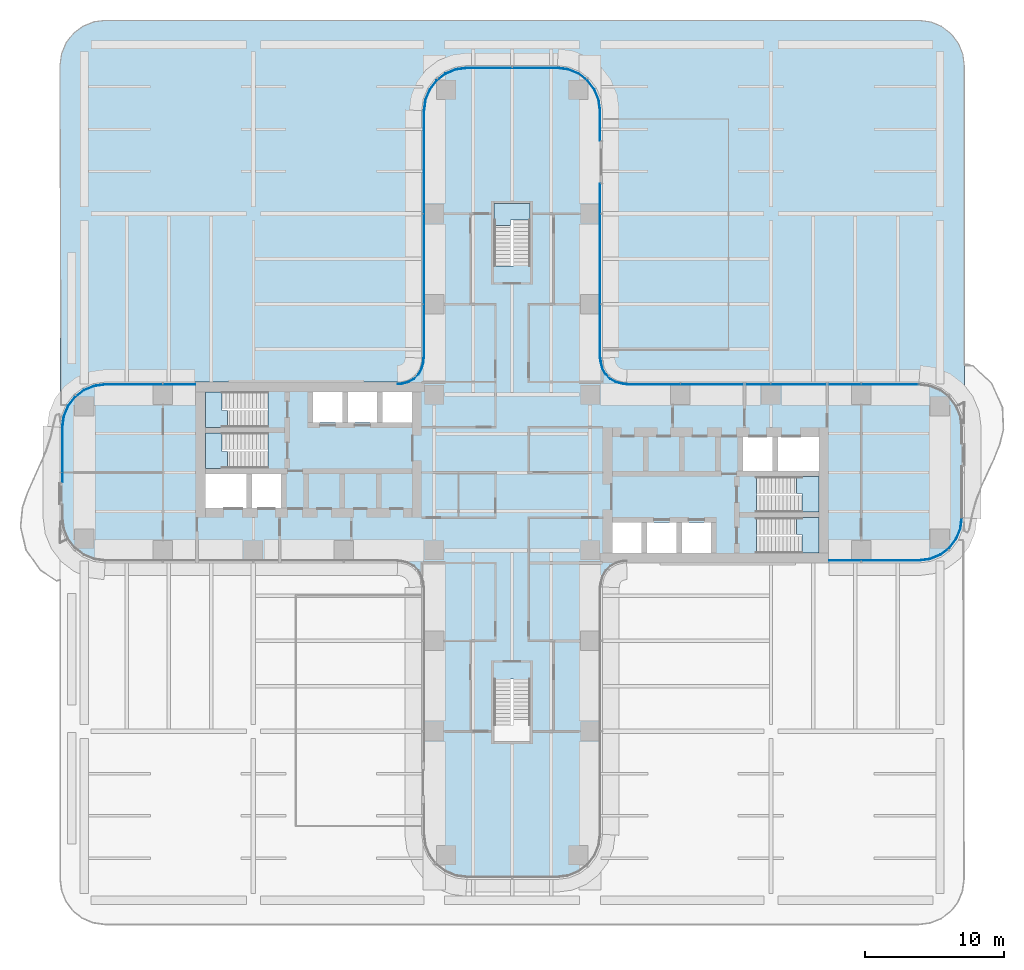
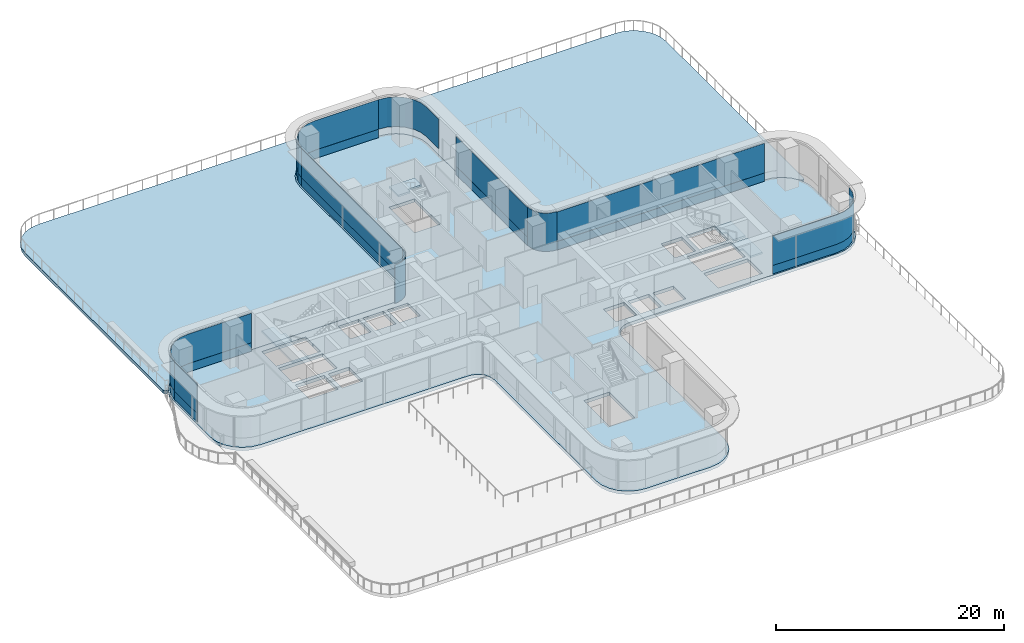
# One storey, part 19 of 29: 17 plates, 7 slabs, 15 elements without a shape of their own.
"""IFC4 building model written with IfcOpenShell, lengths in metres."""

from ifc_helpers import new_model, si_unit, direction, frame, origin, place, context, subcontext, project, spatial, polyline, outline, extrude, source, transform, mapped, material, layer, layer_set, type_object, element, aggregate, save


model = new_model("IFC4")

# Units and contexts
model_context = context("Model", 3, precision=1e-05, world=origin(), true_north=direction((0.0, 1.0)))
body_context = subcontext(model_context, "Body", "Model", "MODEL_VIEW")
ifc_project = project(units=[si_unit("LENGTHUNIT", "METRE"), si_unit("AREAUNIT", "SQUARE_METRE"), si_unit("VOLUMEUNIT", "CUBIC_METRE"), si_unit("PLANEANGLEUNIT", "RADIAN"), si_unit("MASSUNIT", "GRAM", prefix="KILO")], contexts=[model_context])

# Site, building, storey
site_placement = place(None, origin())
site = spatial("IfcSite", under=ifc_project, at=site_placement, CompositionType="ELEMENT")
building_placement = place(site_placement, origin())
building = spatial("IfcBuilding", under=site, at=building_placement, Name="Trellis Farm Tower", CompositionType="ELEMENT")
storey_placement = place(building_placement, frame((0.0, 0.0, 34.0)))
storey = spatial("IfcBuildingStorey", under=building, at=storey_placement, Name="L06", CompositionType="ELEMENT", Elevation=34.0)

# Curtain wall, plates
ifc_material_1 = material(Name="Aluminium and glass curtain wall", Category="aluminium")
ifc_layer_1 = layer(ifc_material_1, 0.18994140625)
ifc_layer_set_1 = layer_set([ifc_layer_1], Name="RIBBON CURTAIN WALL CW1")
curtain_wall_type_1 = type_object("IfcCurtainWallType", Name="RIBBON CURTAIN WALL CW1", PredefinedType="NOTDEFINED", material=ifc_layer_set_1)
placement_1 = place(storey_placement, origin())
curtain_wall_1 = element("IfcCurtainWall", 1, at=placement_1, inside=storey, type_object=curtain_wall_type_1, Name="CW1 015", PredefinedType="NOTDEFINED")
ifc_material_2 = material(Name="Clear insulated glass", Category="glass")
ifc_layer_2 = layer(ifc_material_2, 0.0400390625)
ifc_layer_set_2 = layer_set([ifc_layer_2], Name="CW1 GLASS PANEL 40")
plate_type_1 = type_object("IfcPlateType", Name="CW1 GLASS PANEL 40", PredefinedType="CURTAIN_PANEL", material=ifc_layer_set_2)
placement_2 = place(storey_placement, frame((0.0, 0.0, 0.89990234375)))
plate_1 = element("IfcPlate", 2, at=placement_2, type_object=plate_type_1, Name="PL1 015", PredefinedType="CURTAIN_PANEL", context=body_context, shape_type="SweptSolid", body=[
    extrude(outline(polyline([(-32.35009765625, 3.240234375), (-32.35009765625, -0.7099609375), (-32.31005859375, -0.7099609375), (-32.31005859375, 3.237548828125), (-32.35009765625, 3.240234375)])), origin(), (0.0, 0.0, 1.0), 3.170166015625),
])
ifc_material_3 = material(Name="Sandstone faced insulated panel", Category="masonry")
ifc_layer_3 = layer(ifc_material_3, 0.050048828125)
ifc_layer_set_3 = layer_set([ifc_layer_3], Name="CW1 STONE SPANDREL PANEL 50")
plate_type_2 = type_object("IfcPlateType", Name="CW1 STONE SPANDREL PANEL 50", PredefinedType="CURTAIN_PANEL", material=ifc_layer_set_3)
plate_2 = element("IfcPlate", 3, at=placement_1, type_object=plate_type_2, Name="PS1 015", PredefinedType="CURTAIN_PANEL", context=body_context, shape_type="SweptSolid", body=[
    extrude(outline(polyline([(-32.35009765625, 3.240234375), (-32.35009765625, -0.7099609375), (-32.300048828125, -0.7099609375), (-32.300048828125, 3.23681640625), (-32.35009765625, 3.240234375)])), origin(), (0.0, 0.0, 1.0), 0.89990234375),
])
aggregate(curtain_wall_1, [plate_1, plate_2])

# Slabs
ifc_material_4 = material(Name="Concrete C40/50", Category="concrete")
ifc_layer_4 = layer(ifc_material_4, 0.35009765625)
ifc_layer_set_4 = layer_set([ifc_layer_4], Name="Composite deck floor slab 350")
slab_type_1 = type_object("IfcSlabType", Name="Composite deck floor slab 350", PredefinedType="FLOOR", material=ifc_layer_set_4)
placement_3 = place(storey_placement, frame((0.0, 0.0, -0.35009765625)))
element("IfcSlab", 4, at=placement_3, inside=storey, type_object=slab_type_1, Name="Floor slab", PredefinedType="FLOOR", context=body_context, shape_type="SweptSolid", body=[
    extrude(outline(polyline([(-30.09130859375, -6.389404296875), (-30.875, -6.064697265625), (-31.548095703125, -5.548095703125), (-32.064697265625, -4.875), (-32.389404296875, -4.09130859375), (-32.5, -3.25), (-32.5, 3.25), (-32.389404296875, 4.09130859375), (-32.064697265625, 4.875), (-31.548095703125, 5.548095703125), (-30.875, 6.064697265625), (-30.09130859375, 6.389404296875), (-29.25, 6.5), (-8.2314453125, 6.5), (-8.01953125, 6.513916015625), (-7.91552734375, 6.527587890625), (-7.508544921875, 6.63671875), (-7.144287109375, 6.846923828125), (-6.846923828125, 7.144287109375), (-6.63671875, 7.508544921875), (-6.527587890625, 7.91552734375), (-6.513916015625, 8.01953125), (-6.5, 8.2314453125), (-6.5, 26.0), (-6.389404296875, 26.84130859375), (-6.064697265625, 27.625), (-5.548095703125, 28.298095703125), (-4.875, 28.814697265625), (-4.09130859375, 29.139404296875), (-3.25, 29.25), (3.25, 29.25), (4.09130859375, 29.139404296875), (4.875, 28.814697265625), (5.548095703125, 28.298095703125), (6.064697265625, 27.625), (6.389404296875, 26.84130859375), (6.5, 26.0), (6.5, 8.2314453125), (6.513916015625, 8.01953125), (6.527587890625, 7.91552734375), (6.63671875, 7.508544921875), (6.846923828125, 7.144287109375), (7.144287109375, 6.846923828125), (7.508544921875, 6.63671875), (7.91552734375, 6.527587890625), (8.01953125, 6.513916015625), (8.2314453125, 6.5), (29.25, 6.5), (30.09130859375, 6.389404296875), (30.875, 6.064697265625), (31.548095703125, 5.548095703125), (32.064697265625, 4.875), (32.389404296875, 4.09130859375), (32.5, 3.25), (32.5, -3.25), (32.389404296875, -4.09130859375), (32.064697265625, -4.875), (31.548095703125, -5.548095703125), (30.875, -6.064697265625), (30.09130859375, -6.389404296875), (29.25, -6.5), (8.2314453125, -6.5), (8.01953125, -6.513916015625), (7.91552734375, -6.527587890625), (7.508544921875, -6.63671875), (7.144287109375, -6.846923828125), (6.846923828125, -7.144287109375), (6.63671875, -7.508544921875), (6.527587890625, -7.91552734375), (6.513916015625, -8.01953125), (6.5, -8.2314453125), (6.5, -26.0), (6.389404296875, -26.84130859375), (6.064697265625, -27.625), (5.548095703125, -28.298095703125), (4.875, -28.814697265625), (4.09130859375, -29.139404296875), (3.25, -29.25), (-3.25, -29.25), (-4.09130859375, -29.139404296875), (-4.875, -28.814697265625), (-5.548095703125, -28.298095703125), (-6.064697265625, -27.625), (-6.389404296875, -26.84130859375), (-6.5, -26.0), (-6.5, -8.2314453125), (-6.513916015625, -8.01953125), (-6.527587890625, -7.91552734375), (-6.63671875, -7.508544921875), (-6.846923828125, -7.144287109375), (-7.144287109375, -6.846923828125), (-7.508544921875, -6.63671875), (-7.91552734375, -6.527587890625), (-8.01953125, -6.513916015625), (-8.2314453125, -6.5), (-29.25, -6.5), (-30.09130859375, -6.389404296875)]), holes=[polyline([(-22.050048828125, -0.10009765625), (-22.050048828125, -2.550048828125), (-19.10009765625, -2.550048828125), (-19.10009765625, -0.10009765625), (-22.050048828125, -0.10009765625)]), polyline([(-18.699951171875, -0.10009765625), (-18.699951171875, -2.550048828125), (-16.60009765625, -2.550048828125), (-16.60009765625, -0.10009765625), (-18.699951171875, -0.10009765625)]), polyline([(-17.56201171875, 1.64990234375), (-17.56201171875, 2.85009765625), (-22.050048828125, 2.85009765625), (-22.050048828125, 0.300048828125), (-17.56005859375, 0.300048828125), (-17.56005859375, 1.5), (-17.550048828125, 1.5), (-17.550048828125, 1.64990234375), (-17.56201171875, 1.64990234375)]), polyline([(-17.56201171875, 4.60009765625), (-17.56201171875, 5.800048828125), (-22.050048828125, 5.800048828125), (-22.050048828125, 3.25), (-17.56005859375, 3.25), (-17.56005859375, 4.449951171875), (-17.550048828125, 4.449951171875), (-17.550048828125, 4.60009765625), (-17.56201171875, 4.60009765625)]), polyline([(-14.300048828125, 5.800048828125), (-14.300048828125, 3.60009765625), (-12.199951171875, 3.60009765625), (-12.199951171875, 5.800048828125), (-14.300048828125, 5.800048828125)]), polyline([(-11.800048828125, 5.800048828125), (-11.800048828125, 3.60009765625), (-9.699951171875, 3.60009765625), (-9.699951171875, 5.800048828125), (-11.800048828125, 5.800048828125)]), polyline([(-9.300048828125, 5.800048828125), (-9.300048828125, 3.60009765625), (-7.199951171875, 3.60009765625), (-7.199951171875, 5.800048828125), (-9.300048828125, 5.800048828125)]), polyline([(0.10009765625, 14.862060546875), (1.300048828125, 14.862060546875), (1.300048828125, 19.35009765625), (-1.300048828125, 19.35009765625), (-1.300048828125, 14.860107421875), (-0.10009765625, 14.860107421875), (-0.10009765625, 14.85009765625), (0.10009765625, 14.85009765625), (0.10009765625, 14.862060546875)]), polyline([(-0.10009765625, -14.862060546875), (-1.300048828125, -14.862060546875), (-1.300048828125, -19.35009765625), (1.300048828125, -19.35009765625), (1.300048828125, -14.860107421875), (0.10009765625, -14.860107421875), (0.10009765625, -14.85009765625), (-0.10009765625, -14.85009765625), (-0.10009765625, -14.862060546875)]), polyline([(9.300048828125, -5.800048828125), (9.300048828125, -3.60009765625), (7.199951171875, -3.60009765625), (7.199951171875, -5.800048828125), (9.300048828125, -5.800048828125)]), polyline([(11.800048828125, -5.800048828125), (11.800048828125, -3.60009765625), (9.699951171875, -3.60009765625), (9.699951171875, -5.800048828125), (11.800048828125, -5.800048828125)]), polyline([(14.300048828125, -5.800048828125), (14.300048828125, -3.60009765625), (12.199951171875, -3.60009765625), (12.199951171875, -5.800048828125), (14.300048828125, -5.800048828125)]), polyline([(17.56201171875, -4.60009765625), (17.56201171875, -5.800048828125), (22.050048828125, -5.800048828125), (22.050048828125, -3.25), (17.56005859375, -3.25), (17.56005859375, -4.449951171875), (17.550048828125, -4.449951171875), (17.550048828125, -4.60009765625), (17.56201171875, -4.60009765625)]), polyline([(17.56201171875, -1.64990234375), (17.56201171875, -2.85009765625), (22.050048828125, -2.85009765625), (22.050048828125, -0.300048828125), (17.56005859375, -0.300048828125), (17.56005859375, -1.5), (17.550048828125, -1.5), (17.550048828125, -1.64990234375), (17.56201171875, -1.64990234375)]), polyline([(18.699951171875, 0.10009765625), (18.699951171875, 2.550048828125), (16.60009765625, 2.550048828125), (16.60009765625, 0.10009765625), (18.699951171875, 0.10009765625)]), polyline([(22.050048828125, 0.10009765625), (22.050048828125, 2.550048828125), (19.10009765625, 2.550048828125), (19.10009765625, 0.10009765625), (22.050048828125, 0.10009765625)])]), origin(), (0.0, 0.0, 1.0), 0.35009765625),
])
ifc_layer_5 = layer(ifc_material_4, 0.35009765625)
ifc_layer_set_5 = layer_set([ifc_layer_5], Name="Terrace slab on composite deck 350")
slab_type_2 = type_object("IfcSlabType", Name="Terrace slab on composite deck 350", PredefinedType="FLOOR", material=ifc_layer_set_5)
element("IfcSlab", 5, at=placement_3, inside=storey, type_object=slab_type_2, Name="Terrace slab", PredefinedType="FLOOR", context=body_context, shape_type="SweptSolid", body=[
    extrude(outline(polyline([(-32.4189453125, 4.859619140625), (-32.5, 5.0439453125), (-32.5, 29.233642578125), (-32.497802734375, 29.26611328125), (-32.3935546875, 30.05859375), (-32.376708984375, 30.12158203125), (-32.0771484375, 30.844482421875), (-32.04443359375, 30.901123046875), (-31.568115234375, 31.52197265625), (-31.52197265625, 31.568115234375), (-30.901123046875, 32.04443359375), (-30.844482421875, 32.0771484375), (-30.12158203125, 32.376708984375), (-30.05859375, 32.3935546875), (-29.26611328125, 32.497802734375), (-29.233642578125, 32.5), (29.233642578125, 32.5), (29.26611328125, 32.497802734375), (30.05859375, 32.3935546875), (30.12158203125, 32.376708984375), (30.844482421875, 32.0771484375), (30.901123046875, 32.04443359375), (31.52197265625, 31.568115234375), (31.568115234375, 31.52197265625), (32.04443359375, 30.901123046875), (32.0771484375, 30.844482421875), (32.376708984375, 30.12158203125), (32.3935546875, 30.05859375), (32.497802734375, 29.26611328125), (32.5, 29.233642578125), (32.5, 5.0439453125), (32.4189453125, 4.859619140625), (32.228271484375, 4.794921875), (32.052978515625, 4.89111328125), (31.548583984375, 5.548583984375), (30.875244140625, 6.065185546875), (30.09130859375, 6.389892578125), (29.25, 6.50048828125), (8.2314453125, 6.50048828125), (8.01953125, 6.514404296875), (7.9228515625, 6.527099609375), (7.90869140625, 6.530029296875), (7.5361328125, 6.6298828125), (7.484130859375, 6.6513671875), (7.169189453125, 6.833251953125), (7.124755859375, 6.867431640625), (6.867431640625, 7.124755859375), (6.833251953125, 7.169189453125), (6.6513671875, 7.484130859375), (6.6298828125, 7.5361328125), (6.530029296875, 7.90869140625), (6.527099609375, 7.9228515625), (6.514404296875, 8.01953125), (6.50048828125, 8.2314453125), (6.50048828125, 26.0), (6.389892578125, 26.84130859375), (6.065185546875, 27.625244140625), (5.548583984375, 28.298583984375), (4.875244140625, 28.815185546875), (4.09130859375, 29.139892578125), (3.25, 29.25048828125), (-3.25, 29.25048828125), (-4.09130859375, 29.139892578125), (-4.875244140625, 28.815185546875), (-5.548583984375, 28.298583984375), (-6.065185546875, 27.625244140625), (-6.389892578125, 26.84130859375), (-6.50048828125, 26.0), (-6.50048828125, 8.2314453125), (-6.514404296875, 8.01953125), (-6.527099609375, 7.9228515625), (-6.530029296875, 7.90869140625), (-6.6298828125, 7.5361328125), (-6.6513671875, 7.484130859375), (-6.833251953125, 7.169189453125), (-6.867431640625, 7.124755859375), (-7.124755859375, 6.867431640625), (-7.169189453125, 6.833251953125), (-7.484130859375, 6.6513671875), (-7.5361328125, 6.6298828125), (-7.90869140625, 6.530029296875), (-7.9228515625, 6.527099609375), (-8.01953125, 6.514404296875), (-8.2314453125, 6.50048828125), (-29.25, 6.50048828125), (-30.09130859375, 6.389892578125), (-30.875244140625, 6.065185546875), (-31.548583984375, 5.548583984375), (-32.052978515625, 4.89111328125), (-32.228271484375, 4.794921875), (-32.4189453125, 4.859619140625)])), origin(), (0.0, 0.0, 1.0), 0.35009765625),
])

# Stair, slab
ifc_material_5 = material(Name="Concrete C50/60", Category="concrete")
stair_type = type_object("IfcStairType", Name="CORE EXIT STAIR 26 RISERS 173 MM", PredefinedType="HALF_TURN_STAIR", material=ifc_material_5)
stair_1 = element("IfcStair", 6, at=placement_1, inside=storey, type_object=stair_type, Name="Exit stair N", PredefinedType="HALF_TURN_STAIR")
ifc_layer_6 = layer(ifc_material_5, 0.18994140625)
ifc_layer_set_6 = layer_set([ifc_layer_6], Name="CORE STAIR LANDING 190 CONCRETE C50/60")
slab_type_3 = type_object("IfcSlabType", Name="CORE STAIR LANDING 190 CONCRETE C50/60", PredefinedType="LANDING", material=ifc_layer_set_6)
shared_shape_1 = source(origin(), body_context, "Body", "SweptSolid", [
    extrude(outline(polyline([(-0.10009765625, 17.753173828125), (-1.300048828125, 17.753173828125), (-1.300048828125, 18.14990234375), (-1.300048828125, 19.35009765625), (1.300048828125, 19.35009765625), (1.300048828125, 18.14990234375), (1.300048828125, 18.139892578125), (0.10009765625, 18.139892578125), (0.10009765625, 18.14990234375), (-0.10009765625, 18.14990234375), (-0.10009765625, 17.753173828125)])), origin(), (0.0, 0.0, 1.0), 0.18994140625),
])
placement_4 = place(storey_placement, frame((0.0, 0.0, 2.06005859375)))
slab_3 = element("IfcSlab", 7, at=placement_4, type_object=slab_type_3, Name="STN landing 1", PredefinedType="LANDING", context=body_context, shape_type="MappedRepresentation", body=[
    mapped(shared_shape_1, transform((0.0, 0.0, 0.0))),
])
aggregate(stair_1, [slab_3])

stair_2 = element("IfcStair", 8, at=placement_1, inside=storey, type_object=stair_type, Name="Exit stair E1", PredefinedType="HALF_TURN_STAIR")
shared_shape_2 = source(origin(), body_context, "Body", "SweptSolid", [
    extrude(outline(polyline([(20.840087890625, -5.800048828125), (20.840087890625, -4.60009765625), (20.85009765625, -4.60009765625), (20.85009765625, -4.449951171875), (20.453125, -4.449951171875), (20.453125, -3.25), (20.85009765625, -3.25), (22.050048828125, -3.25), (22.050048828125, -5.800048828125), (20.85009765625, -5.800048828125), (20.840087890625, -5.800048828125)])), origin(), (0.0, 0.0, 1.0), 0.18994140625),
])
slab_4 = element("IfcSlab", 9, at=placement_4, type_object=slab_type_3, Name="STE1 landing 1", PredefinedType="LANDING", context=body_context, shape_type="MappedRepresentation", body=[
    mapped(shared_shape_2, transform((0.0, 0.0, 0.0))),
])
aggregate(stair_2, [slab_4])

stair_3 = element("IfcStair", 10, at=placement_1, inside=storey, type_object=stair_type, Name="Exit stair E2", PredefinedType="HALF_TURN_STAIR")
shared_shape_3 = source(origin(), body_context, "Body", "SweptSolid", [
    extrude(outline(polyline([(20.840087890625, -2.85009765625), (20.840087890625, -1.64990234375), (20.85009765625, -1.64990234375), (20.85009765625, -1.5), (20.453125, -1.5), (20.453125, -0.300048828125), (20.85009765625, -0.300048828125), (22.050048828125, -0.300048828125), (22.050048828125, -2.85009765625), (20.85009765625, -2.85009765625), (20.840087890625, -2.85009765625)])), origin(), (0.0, 0.0, 1.0), 0.18994140625),
])
slab_5 = element("IfcSlab", 11, at=placement_4, type_object=slab_type_3, Name="STE2 landing 1", PredefinedType="LANDING", context=body_context, shape_type="MappedRepresentation", body=[
    mapped(shared_shape_3, transform((0.0, 0.0, 0.0))),
])
aggregate(stair_3, [slab_5])

stair_4 = element("IfcStair", 12, at=placement_1, inside=storey, type_object=stair_type, Name="Exit stair W1", PredefinedType="HALF_TURN_STAIR")
shared_shape_4 = source(origin(), body_context, "Body", "SweptSolid", [
    extrude(outline(polyline([(-20.453125, 4.449951171875), (-20.453125, 3.25), (-20.85009765625, 3.25), (-22.050048828125, 3.25), (-22.050048828125, 5.800048828125), (-20.85009765625, 5.800048828125), (-20.840087890625, 5.800048828125), (-20.840087890625, 4.60009765625), (-20.85009765625, 4.60009765625), (-20.85009765625, 4.449951171875), (-20.453125, 4.449951171875)])), origin(), (0.0, 0.0, 1.0), 0.18994140625),
])
slab_6 = element("IfcSlab", 13, at=placement_4, type_object=slab_type_3, Name="STW1 landing 1", PredefinedType="LANDING", context=body_context, shape_type="MappedRepresentation", body=[
    mapped(shared_shape_4, transform((0.0, 0.0, 0.0))),
])
aggregate(stair_4, [slab_6])

stair_5 = element("IfcStair", 14, at=placement_1, inside=storey, type_object=stair_type, Name="Exit stair W2", PredefinedType="HALF_TURN_STAIR")
shared_shape_5 = source(origin(), body_context, "Body", "SweptSolid", [
    extrude(outline(polyline([(-20.453125, 1.5), (-20.453125, 0.300048828125), (-20.85009765625, 0.300048828125), (-22.050048828125, 0.300048828125), (-22.050048828125, 2.85009765625), (-20.85009765625, 2.85009765625), (-20.840087890625, 2.85009765625), (-20.840087890625, 1.64990234375), (-20.85009765625, 1.64990234375), (-20.85009765625, 1.5), (-20.453125, 1.5)])), origin(), (0.0, 0.0, 1.0), 0.18994140625),
])
slab_7 = element("IfcSlab", 15, at=placement_4, type_object=slab_type_3, Name="STW2 landing 1", PredefinedType="LANDING", context=body_context, shape_type="MappedRepresentation", body=[
    mapped(shared_shape_5, transform((0.0, 0.0, 0.0))),
])
aggregate(stair_5, [slab_7])

# Curtain wall, plates
curtain_wall_2 = element("IfcCurtainWall", 16, at=placement_1, inside=storey, type_object=curtain_wall_type_1, Name="CW1 006", PredefinedType="NOTDEFINED")
shared_shape_6 = source(origin(), body_context, "Body", "SweptSolid", [
    extrude(outline(polyline([(22.780029296875, -6.35009765625), (29.240234375, -6.35009765625), (30.052001953125, -6.2431640625), (30.79931640625, -5.93359375), (31.441162109375, -5.441162109375), (31.93359375, -4.79931640625), (32.2431640625, -4.052001953125), (32.35009765625, -3.240234375), (32.31005859375, -3.237548828125), (32.2041015625, -4.04150390625), (31.898681640625, -4.779296875), (31.41259765625, -5.41259765625), (30.779296875, -5.898681640625), (30.04150390625, -6.2041015625), (29.237548828125, -6.31005859375), (22.780029296875, -6.31005859375), (22.780029296875, -6.35009765625)])), origin(), (0.0, 0.0, 1.0), 3.170166015625),
])
plate_3 = element("IfcPlate", 17, at=placement_2, type_object=plate_type_1, Name="PL1 006", PredefinedType="CURTAIN_PANEL", context=body_context, shape_type="MappedRepresentation", body=[
    mapped(shared_shape_6, transform((0.0, 0.0, 0.0))),
])
shared_shape_7 = source(origin(), body_context, "Body", "SweptSolid", [
    extrude(outline(polyline([(22.780029296875, -6.35009765625), (29.240234375, -6.35009765625), (30.052001953125, -6.2431640625), (30.79931640625, -5.93359375), (31.441162109375, -5.441162109375), (31.93359375, -4.79931640625), (32.2431640625, -4.052001953125), (32.35009765625, -3.240234375), (32.300048828125, -3.23681640625), (32.1943359375, -4.0390625), (31.889892578125, -4.774169921875), (31.405517578125, -5.405517578125), (30.774169921875, -5.889892578125), (30.0390625, -6.1943359375), (29.23681640625, -6.300048828125), (22.780029296875, -6.300048828125), (22.780029296875, -6.35009765625)])), origin(), (0.0, 0.0, 1.0), 0.89990234375),
])
plate_4 = element("IfcPlate", 18, at=placement_1, type_object=plate_type_2, Name="PS1 006", PredefinedType="CURTAIN_PANEL", context=body_context, shape_type="MappedRepresentation", body=[
    mapped(shared_shape_7, transform((0.0, 0.0, 0.0))),
])
aggregate(curtain_wall_2, [plate_3, plate_4])

curtain_wall_3 = element("IfcCurtainWall", 19, at=placement_1, inside=storey, type_object=curtain_wall_type_1, Name="CW1 009", PredefinedType="NOTDEFINED")
shared_shape_8 = source(origin(), body_context, "Body", "SweptSolid", [
    extrude(outline(polyline([(29.240234375, 6.35009765625), (8.2265625, 6.35009765625), (8.22509765625, 6.31005859375), (29.237548828125, 6.31005859375), (29.240234375, 6.35009765625)])), origin(), (0.0, 0.0, 1.0), 3.170166015625),
])
plate_5 = element("IfcPlate", 20, at=placement_2, type_object=plate_type_1, Name="PL1 009", PredefinedType="CURTAIN_PANEL", context=body_context, shape_type="MappedRepresentation", body=[
    mapped(shared_shape_8, transform((0.0, 0.0, 0.0))),
])
shared_shape_9 = source(origin(), body_context, "Body", "SweptSolid", [
    extrude(outline(polyline([(29.240234375, 6.35009765625), (8.2265625, 6.35009765625), (8.224853515625, 6.300048828125), (29.23681640625, 6.300048828125), (29.240234375, 6.35009765625)])), origin(), (0.0, 0.0, 1.0), 0.89990234375),
])
plate_6 = element("IfcPlate", 21, at=placement_1, type_object=plate_type_2, Name="PS1 009", PredefinedType="CURTAIN_PANEL", context=body_context, shape_type="MappedRepresentation", body=[
    mapped(shared_shape_9, transform((0.0, 0.0, 0.0))),
])
aggregate(curtain_wall_3, [plate_5, plate_6])

# Curtain wall, plate
ifc_layer_7 = layer(ifc_material_1, 0.166015625)
ifc_layer_set_7 = layer_set([ifc_layer_7], Name="WINTER GARDEN CURTAIN WALL CW3")
curtain_wall_type_2 = type_object("IfcCurtainWallType", Name="WINTER GARDEN CURTAIN WALL CW3", PredefinedType="NOTDEFINED", material=ifc_layer_set_7)
curtain_wall_4 = element("IfcCurtainWall", 22, at=placement_1, inside=storey, type_object=curtain_wall_type_2, Name="CW3 003", PredefinedType="NOTDEFINED")
ifc_layer_8 = layer(ifc_material_2, 0.0458984375)
ifc_layer_set_8 = layer_set([ifc_layer_8], Name="CW3 GLASS PANEL 46")
plate_type_3 = type_object("IfcPlateType", Name="CW3 GLASS PANEL 46", PredefinedType="CURTAIN_PANEL", material=ifc_layer_set_8)
shared_shape_10 = source(origin(), body_context, "Body", "SweptSolid", [
    extrude(outline(polyline([(8.2275390625, 6.3798828125), (8.0078125, 6.394287109375), (7.89208984375, 6.40966796875), (7.462158203125, 6.52490234375), (7.070556640625, 6.7509765625), (6.7509765625, 7.070556640625), (6.52490234375, 7.462158203125), (6.40966796875, 7.89208984375), (6.394287109375, 8.0078125), (6.3798828125, 8.2275390625), (6.333984375, 8.22607421875), (6.3486328125, 8.003173828125), (6.364501953125, 7.883056640625), (6.48193359375, 7.4443359375), (6.714111328125, 7.04248046875), (7.04248046875, 6.714111328125), (7.4443359375, 6.48193359375), (7.883056640625, 6.364501953125), (8.003173828125, 6.3486328125), (8.22607421875, 6.333984375), (8.2275390625, 6.3798828125)])), origin(), (0.0, 0.0, 1.0), 4.10009765625),
])
plate_7 = element("IfcPlate", 23, at=placement_1, type_object=plate_type_3, Name="PL3 003", PredefinedType="CURTAIN_PANEL", context=body_context, shape_type="MappedRepresentation", body=[
    mapped(shared_shape_10, transform((0.0, 0.0, 0.0))),
])
aggregate(curtain_wall_4, [plate_7])

# Curtain wall, plates
curtain_wall_5 = element("IfcCurtainWall", 24, at=placement_1, inside=storey, type_object=curtain_wall_type_1, Name="CW1 012", PredefinedType="NOTDEFINED")
shared_shape_11 = source(origin(), body_context, "Body", "SweptSolid", [
    extrude(outline(polyline([(3.240234375, 29.10009765625), (-3.240234375, 29.10009765625), (-4.052001953125, 28.9931640625), (-4.79931640625, 28.68359375), (-5.441162109375, 28.191162109375), (-5.93359375, 27.54931640625), (-6.2431640625, 26.802001953125), (-6.35009765625, 25.990234375), (-6.31005859375, 25.987548828125), (-6.2041015625, 26.79150390625), (-5.898681640625, 27.529296875), (-5.41259765625, 28.16259765625), (-4.779296875, 28.648681640625), (-4.04150390625, 28.9541015625), (-3.237548828125, 29.06005859375), (3.237548828125, 29.06005859375), (3.240234375, 29.10009765625)])), origin(), (0.0, 0.0, 1.0), 3.170166015625),
])
plate_8 = element("IfcPlate", 25, at=placement_2, type_object=plate_type_1, Name="PL1 012", PredefinedType="CURTAIN_PANEL", context=body_context, shape_type="MappedRepresentation", body=[
    mapped(shared_shape_11, transform((0.0, 0.0, 0.0))),
])
shared_shape_12 = source(origin(), body_context, "Body", "SweptSolid", [
    extrude(outline(polyline([(3.240234375, 29.10009765625), (-3.240234375, 29.10009765625), (-4.052001953125, 28.9931640625), (-4.79931640625, 28.68359375), (-5.441162109375, 28.191162109375), (-5.93359375, 27.54931640625), (-6.2431640625, 26.802001953125), (-6.35009765625, 25.990234375), (-6.300048828125, 25.98681640625), (-6.1943359375, 26.7890625), (-5.889892578125, 27.524169921875), (-5.405517578125, 28.155517578125), (-4.774169921875, 28.639892578125), (-4.0390625, 28.9443359375), (-3.23681640625, 29.050048828125), (3.23681640625, 29.050048828125), (3.240234375, 29.10009765625)])), origin(), (0.0, 0.0, 1.0), 0.89990234375),
])
plate_9 = element("IfcPlate", 26, at=placement_1, type_object=plate_type_2, Name="PS1 012", PredefinedType="CURTAIN_PANEL", context=body_context, shape_type="MappedRepresentation", body=[
    mapped(shared_shape_12, transform((0.0, 0.0, 0.0))),
])
aggregate(curtain_wall_5, [plate_8, plate_9])

curtain_wall_6 = element("IfcCurtainWall", 27, at=placement_1, inside=storey, type_object=curtain_wall_type_1, Name="CW1 013", PredefinedType="NOTDEFINED")
shared_shape_13 = source(origin(), body_context, "Body", "SweptSolid", [
    extrude(outline(polyline([(-6.35009765625, 25.990234375), (-6.35009765625, 8.2265625), (-6.31005859375, 8.22509765625), (-6.31005859375, 25.987548828125), (-6.35009765625, 25.990234375)])), origin(), (0.0, 0.0, 1.0), 3.170166015625),
])
plate_10 = element("IfcPlate", 28, at=placement_2, type_object=plate_type_1, Name="PL1 013", PredefinedType="CURTAIN_PANEL", context=body_context, shape_type="MappedRepresentation", body=[
    mapped(shared_shape_13, transform((0.0, 0.0, 0.0))),
])
shared_shape_14 = source(origin(), body_context, "Body", "SweptSolid", [
    extrude(outline(polyline([(-6.35009765625, 25.990234375), (-6.35009765625, 8.2265625), (-6.300048828125, 8.224853515625), (-6.300048828125, 25.98681640625), (-6.35009765625, 25.990234375)])), origin(), (0.0, 0.0, 1.0), 0.89990234375),
])
plate_11 = element("IfcPlate", 29, at=placement_1, type_object=plate_type_2, Name="PS1 013", PredefinedType="CURTAIN_PANEL", context=body_context, shape_type="MappedRepresentation", body=[
    mapped(shared_shape_14, transform((0.0, 0.0, 0.0))),
])
aggregate(curtain_wall_6, [plate_10, plate_11])

# Curtain wall, plate
curtain_wall_7 = element("IfcCurtainWall", 30, at=placement_1, inside=storey, type_object=curtain_wall_type_2, Name="CW3 004", PredefinedType="NOTDEFINED")
shared_shape_15 = source(origin(), body_context, "Body", "SweptSolid", [
    extrude(outline(polyline([(-6.3798828125, 8.2275390625), (-6.394287109375, 8.0078125), (-6.40966796875, 7.89208984375), (-6.52490234375, 7.462158203125), (-6.7509765625, 7.070556640625), (-7.070556640625, 6.7509765625), (-7.462158203125, 6.52490234375), (-7.89208984375, 6.40966796875), (-8.0078125, 6.394287109375), (-8.2275390625, 6.3798828125), (-8.22607421875, 6.333984375), (-8.003173828125, 6.3486328125), (-7.883056640625, 6.364501953125), (-7.4443359375, 6.48193359375), (-7.04248046875, 6.714111328125), (-6.714111328125, 7.04248046875), (-6.48193359375, 7.4443359375), (-6.364501953125, 7.883056640625), (-6.3486328125, 8.003173828125), (-6.333984375, 8.22607421875), (-6.3798828125, 8.2275390625)])), origin(), (0.0, 0.0, 1.0), 4.10009765625),
])
plate_12 = element("IfcPlate", 31, at=placement_1, type_object=plate_type_3, Name="PL3 004", PredefinedType="CURTAIN_PANEL", context=body_context, shape_type="MappedRepresentation", body=[
    mapped(shared_shape_15, transform((0.0, 0.0, 0.0))),
])
aggregate(curtain_wall_7, [plate_12])

# Curtain wall, plates
curtain_wall_8 = element("IfcCurtainWall", 32, at=placement_1, inside=storey, type_object=curtain_wall_type_1, Name="CW1 014", PredefinedType="NOTDEFINED")
shared_shape_16 = source(origin(), body_context, "Body", "SweptSolid", [
    extrude(outline(polyline([(-22.780029296875, 6.35009765625), (-29.240234375, 6.35009765625), (-30.052001953125, 6.2431640625), (-30.79931640625, 5.93359375), (-31.441162109375, 5.441162109375), (-31.93359375, 4.79931640625), (-32.2431640625, 4.052001953125), (-32.35009765625, 3.240234375), (-32.31005859375, 3.237548828125), (-32.2041015625, 4.04150390625), (-31.898681640625, 4.779296875), (-31.41259765625, 5.41259765625), (-30.779296875, 5.898681640625), (-30.04150390625, 6.2041015625), (-29.237548828125, 6.31005859375), (-22.780029296875, 6.31005859375), (-22.780029296875, 6.35009765625)])), origin(), (0.0, 0.0, 1.0), 3.170166015625),
])
plate_13 = element("IfcPlate", 33, at=placement_2, type_object=plate_type_1, Name="PL1 014", PredefinedType="CURTAIN_PANEL", context=body_context, shape_type="MappedRepresentation", body=[
    mapped(shared_shape_16, transform((0.0, 0.0, 0.0))),
])
shared_shape_17 = source(origin(), body_context, "Body", "SweptSolid", [
    extrude(outline(polyline([(-22.780029296875, 6.35009765625), (-29.240234375, 6.35009765625), (-30.052001953125, 6.2431640625), (-30.79931640625, 5.93359375), (-31.441162109375, 5.441162109375), (-31.93359375, 4.79931640625), (-32.2431640625, 4.052001953125), (-32.35009765625, 3.240234375), (-32.300048828125, 3.23681640625), (-32.1943359375, 4.0390625), (-31.889892578125, 4.774169921875), (-31.405517578125, 5.405517578125), (-30.774169921875, 5.889892578125), (-30.0390625, 6.1943359375), (-29.23681640625, 6.300048828125), (-22.780029296875, 6.300048828125), (-22.780029296875, 6.35009765625)])), origin(), (0.0, 0.0, 1.0), 0.89990234375),
])
plate_14 = element("IfcPlate", 34, at=placement_1, type_object=plate_type_2, Name="PS1 014", PredefinedType="CURTAIN_PANEL", context=body_context, shape_type="MappedRepresentation", body=[
    mapped(shared_shape_17, transform((0.0, 0.0, 0.0))),
])
aggregate(curtain_wall_8, [plate_13, plate_14])

curtain_wall_9 = element("IfcCurtainWall", 35, at=placement_1, inside=storey, type_object=curtain_wall_type_1, Name="CW1 010", PredefinedType="NOTDEFINED")
shared_shape_18 = source(origin(), body_context, "Body", "SweptSolid", [
    extrude(outline(polyline([(6.35009765625, 8.2265625), (6.35009765625, 20.739990234375), (6.31005859375, 20.739990234375), (6.31005859375, 8.22509765625), (6.35009765625, 8.2265625)])), origin(), (0.0, 0.0, 1.0), 3.170166015625),
])
plate_15 = element("IfcPlate", 36, at=placement_2, type_object=plate_type_1, Name="PL1 010", PredefinedType="CURTAIN_PANEL", context=body_context, shape_type="MappedRepresentation", body=[
    mapped(shared_shape_18, transform((0.0, 0.0, 0.0))),
])
shared_shape_19 = source(origin(), body_context, "Body", "SweptSolid", [
    extrude(outline(polyline([(6.35009765625, 8.2265625), (6.35009765625, 20.739990234375), (6.300048828125, 20.739990234375), (6.300048828125, 8.224853515625), (6.35009765625, 8.2265625)])), origin(), (0.0, 0.0, 1.0), 0.89990234375),
])
plate_16 = element("IfcPlate", 37, at=placement_1, type_object=plate_type_2, Name="PS1 010", PredefinedType="CURTAIN_PANEL", context=body_context, shape_type="MappedRepresentation", body=[
    mapped(shared_shape_19, transform((0.0, 0.0, 0.0))),
])
aggregate(curtain_wall_9, [plate_15, plate_16])

# Curtain wall, plate
curtain_wall_10 = element("IfcCurtainWall", 38, at=placement_1, inside=storey, type_object=curtain_wall_type_1, Name="CW1 011", PredefinedType="NOTDEFINED")
shared_shape_20 = source(origin(), body_context, "Body", "SweptSolid", [
    extrude(outline(polyline([(6.35009765625, 23.860107421875), (6.35009765625, 25.990234375), (6.2431640625, 26.802001953125), (5.93359375, 27.54931640625), (5.441162109375, 28.191162109375), (4.79931640625, 28.68359375), (4.052001953125, 28.9931640625), (3.240234375, 29.10009765625), (3.237548828125, 29.06005859375), (4.04150390625, 28.9541015625), (4.779296875, 28.648681640625), (5.41259765625, 28.16259765625), (5.898681640625, 27.529296875), (6.2041015625, 26.79150390625), (6.31005859375, 25.987548828125), (6.31005859375, 23.860107421875), (6.35009765625, 23.860107421875)])), origin(), (0.0, 0.0, 1.0), 3.170166015625),
])
plate_17 = element("IfcPlate", 39, at=placement_2, type_object=plate_type_1, Name="PL1 011", PredefinedType="CURTAIN_PANEL", context=body_context, shape_type="MappedRepresentation", body=[
    mapped(shared_shape_20, transform((0.0, 0.0, 0.0))),
])
aggregate(curtain_wall_10, [plate_17])

save(model, "model.ifc")
